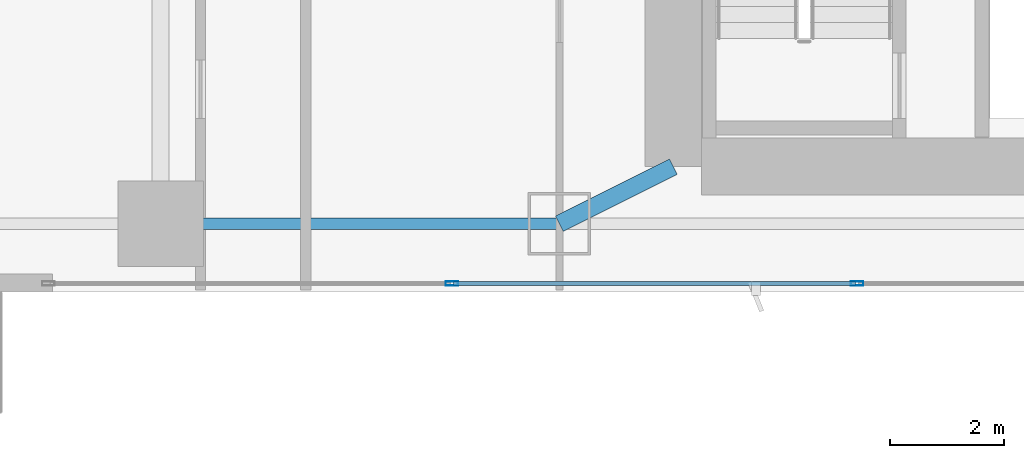
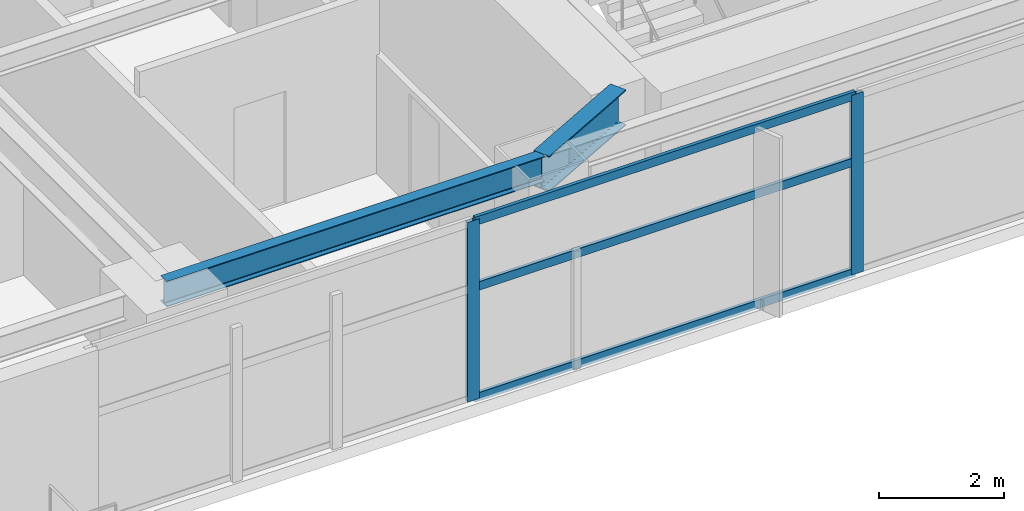
# One storey, part 5 of 28: 5 members, 2 beams, 1 element without a shape of its own.
"""IFC4 building model written with IfcOpenShell, lengths in metres."""

from ifc_helpers import new_model, si_unit, direction, frame, origin, origin_2d, place, context, subcontext, project, spatial, hollow_rectangle, i_section, extrude, material, layer, layer_set, material_profile, profile_set, type_object, element, aggregate, save


model = new_model("IFC4")

# Units and contexts
model_context = context("Model", 3, precision=1e-05, world=origin(), true_north=direction((0.0, 1.0)))
body_context = subcontext(model_context, "Body", "Model", "MODEL_VIEW")
ifc_project = project(units=[si_unit("LENGTHUNIT", "METRE"), si_unit("AREAUNIT", "SQUARE_METRE"), si_unit("VOLUMEUNIT", "CUBIC_METRE"), si_unit("PLANEANGLEUNIT", "RADIAN"), si_unit("MASSUNIT", "GRAM", prefix="KILO")], contexts=[model_context])

# Site, building, storey
site_placement = place(None, origin())
site = spatial("IfcSite", under=ifc_project, at=site_placement, CompositionType="ELEMENT")
building_placement = place(site_placement, origin())
building = spatial("IfcBuilding", under=site, at=building_placement, Name="Calvorn Quay Hotel", CompositionType="ELEMENT")
storey_placement = place(building_placement, frame((0.0, 0.0, 42.199951171875)))
storey = spatial("IfcBuildingStorey", under=building, at=storey_placement, Name="L09", CompositionType="ELEMENT", Elevation=42.199951171875)

# Beams
ifc_material_1 = material(Name="Steel Q390GJC", Category="steel")
ifc_material_profile_1 = material_profile(ifc_material_1, i_section(OverallWidth=0.300048828125, OverallDepth=0.699951171875, WebThickness=0.012939453125, FlangeThickness=0.02392578125, FilletRadius=0.02392578125, at=origin_2d()), Name="HN700x300x13x24")
ifc_profile_set_1 = profile_set([ifc_material_profile_1], Name="Steel Q390GJC")
beam_type_1 = type_object("IfcBeamType", Name="BM-GIRD-MAIN", PredefinedType="BEAM", material=ifc_profile_set_1)
beam_1_placement = place(storey_placement, frame((19.60009765625, 3.60009765625, 3.170166015625), z_axis=(0.894427191, 0.4472135955, 0.0), x_axis=(-0.4472135955, 0.894427191, 0.0)))
element("IfcBeam", 1, at=beam_1_placement, inside=storey, type_object=beam_type_1, Name="Beam BG-L09-S2", PredefinedType="BEAM", context=body_context, shape_type="SweptSolid", body=[
    extrude(i_section(OverallWidth=0.300048828125, OverallDepth=0.699951171875, WebThickness=0.012939453125, FlangeThickness=0.02392578125, FilletRadius=0.02392578125, at=origin_2d()), origin(), (0.0, 0.0, 1.0), 2.236083984375),
])
ifc_material_2 = material(Name="Steel Q355B", Category="steel")
ifc_material_profile_2 = material_profile(ifc_material_2, i_section(OverallWidth=0.199951171875, OverallDepth=0.5, WebThickness=0.010009765625, FlangeThickness=0.01611328125, FilletRadius=0.01611328125, at=origin_2d()), Name="HN500x200x10x16")
ifc_profile_set_2 = profile_set([ifc_material_profile_2], Name="Steel Q355B")
beam_type_2 = type_object("IfcBeamType", Name="BM-SPANDREL-Z1", PredefinedType="SPANDREL", material=ifc_profile_set_2)
beam_2_placement = place(storey_placement, frame((12.60009765625, 3.60009765625, 3.27001953125), z_axis=(1.0, 0.0, 0.0), x_axis=(0.0, 1.0, 0.0)))
element("IfcBeam", 2, at=beam_2_placement, inside=storey, type_object=beam_type_2, Name="Beam BSP-L09-S2", PredefinedType="SPANDREL", context=body_context, shape_type="SweptSolid", body=[
    extrude(i_section(OverallWidth=0.199951171875, OverallDepth=0.5, WebThickness=0.010009765625, FlangeThickness=0.01611328125, FilletRadius=0.01611328125, at=origin_2d()), origin(), (0.0, 0.0, 1.0), 7.0),
])

# Curtain wall, members
ifc_material_3 = material(Name="Pale Anodised Aluminium and Low-E Glass", Category="aluminium")
ifc_layer = layer(ifc_material_3, 0.219970703125)
ifc_layer_set = layer_set([ifc_layer], Name="CW-SYS-Z1")
curtain_wall_type = type_object("IfcCurtainWallType", Name="CW-SYS-Z1", PredefinedType="NOTDEFINED", material=ifc_layer_set)
curtain_wall_placement = place(storey_placement, origin())
curtain_wall = element("IfcCurtainWall", 3, at=curtain_wall_placement, inside=storey, type_object=curtain_wall_type, Name="Tower South Waterfront Curtain Wall (L09)", PredefinedType="NOTDEFINED")
ifc_material_4 = material(Name="Pale Anodised Aluminium 6063-T6", Category="aluminium")
ifc_material_profile_3 = material_profile(ifc_material_4, hollow_rectangle(XDim=0.074951171875, YDim=0.219970703125, WallThickness=0.00439453125, at=origin_2d()), Name="ALU-M220x75x4.5")
ifc_profile_set_3 = profile_set([ifc_material_profile_3], Name="Pale Anodised Aluminium 6063-T6")
member_type_1 = type_object("IfcMemberType", Name="CW-SYS-Z1-MUL", PredefinedType="MULLION", material=ifc_profile_set_3)
member_1_placement = place(storey_placement, frame((17.71435546875, 2.550048828125, 0.0), z_axis=(0.0, 0.0, 1.0), x_axis=(0.0, 1.0, 0.0)))
member_1 = element("IfcMember", 4, at=member_1_placement, type_object=member_type_1, Name="CW-L09-S mullion 2", PredefinedType="MULLION", context=body_context, shape_type="SweptSolid", body=[
    extrude(hollow_rectangle(XDim=0.074951171875, YDim=0.219970703125, WallThickness=0.00439453125, at=origin_2d()), origin(), (0.0, 0.0, 1.0), 3.52001953125),
])
member_2_placement = place(storey_placement, frame((24.82861328125, 2.550048828125, 0.0), z_axis=(0.0, 0.0, 1.0), x_axis=(0.0, 1.0, 0.0)))
member_2 = element("IfcMember", 5, at=member_2_placement, type_object=member_type_1, Name="CW-L09-S mullion 3", PredefinedType="MULLION", context=body_context, shape_type="SweptSolid", body=[
    extrude(hollow_rectangle(XDim=0.074951171875, YDim=0.219970703125, WallThickness=0.00439453125, at=origin_2d()), origin(), (0.0, 0.0, 1.0), 3.52001953125),
])
ifc_material_5 = material(Name="Pale Anodised Aluminium 6063-T6", Category="aluminium")
ifc_material_profile_4 = material_profile(ifc_material_5, hollow_rectangle(XDim=0.06494140625, YDim=0.1650390625, WallThickness=0.00341796875, at=origin_2d()), Name="ALU-T165x65x3.5")
ifc_profile_set_4 = profile_set([ifc_material_profile_4], Name="Pale Anodised Aluminium 6063-T6")
member_type_2 = type_object("IfcMemberType", Name="CW-SYS-Z1-TRN", PredefinedType="USERDEFINED", material=ifc_profile_set_4)
member_3_placement = place(storey_placement, frame((17.744384765625, 2.550048828125, 0.030029296875), z_axis=(1.0, 0.0, 0.0), x_axis=(0.0, 1.0, 0.0)))
member_3 = element("IfcMember", 6, at=member_3_placement, type_object=member_type_2, Name="CW-L09-S transom 2.1", ObjectType="TRANSOM", PredefinedType="USERDEFINED", context=body_context, shape_type="SweptSolid", body=[
    extrude(hollow_rectangle(XDim=0.06494140625, YDim=0.1650390625, WallThickness=0.00341796875, at=origin_2d()), origin(), (0.0, 0.0, 1.0), 7.05419921875),
])
member_4_placement = place(storey_placement, frame((17.744384765625, 2.550048828125, 2.199951171875), z_axis=(1.0, 0.0, 0.0), x_axis=(0.0, 1.0, 0.0)))
member_4 = element("IfcMember", 7, at=member_4_placement, type_object=member_type_2, Name="CW-L09-S transom 2.2", ObjectType="TRANSOM", PredefinedType="USERDEFINED", context=body_context, shape_type="SweptSolid", body=[
    extrude(hollow_rectangle(XDim=0.06494140625, YDim=0.1650390625, WallThickness=0.00341796875, at=origin_2d()), origin(), (0.0, 0.0, 1.0), 7.05419921875),
])
member_5_placement = place(storey_placement, frame((17.744384765625, 2.550048828125, 3.489990234375), z_axis=(1.0, 0.0, 0.0), x_axis=(0.0, 1.0, 0.0)))
member_5 = element("IfcMember", 8, at=member_5_placement, type_object=member_type_2, Name="CW-L09-S transom 2.3", ObjectType="TRANSOM", PredefinedType="USERDEFINED", context=body_context, shape_type="SweptSolid", body=[
    extrude(hollow_rectangle(XDim=0.06494140625, YDim=0.1650390625, WallThickness=0.00341796875, at=origin_2d()), origin(), (0.0, 0.0, 1.0), 7.05419921875),
])
aggregate(curtain_wall, [member_1, member_2, member_3, member_4, member_5])

save(model, "model.ifc")
